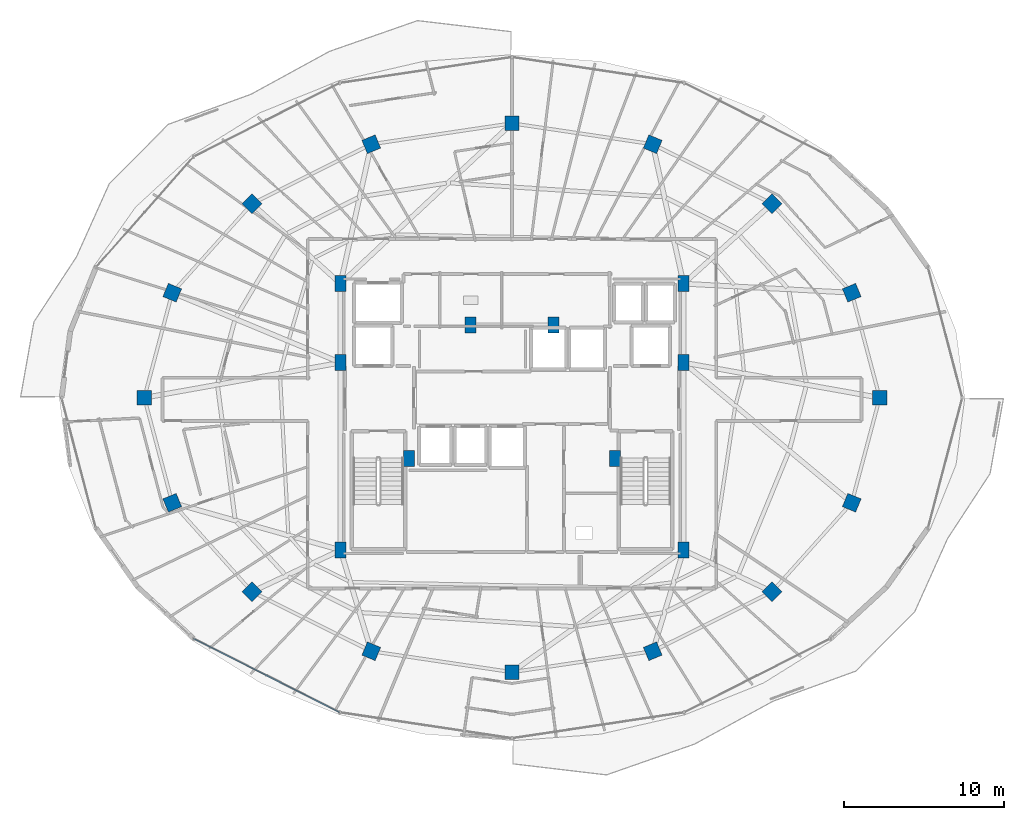
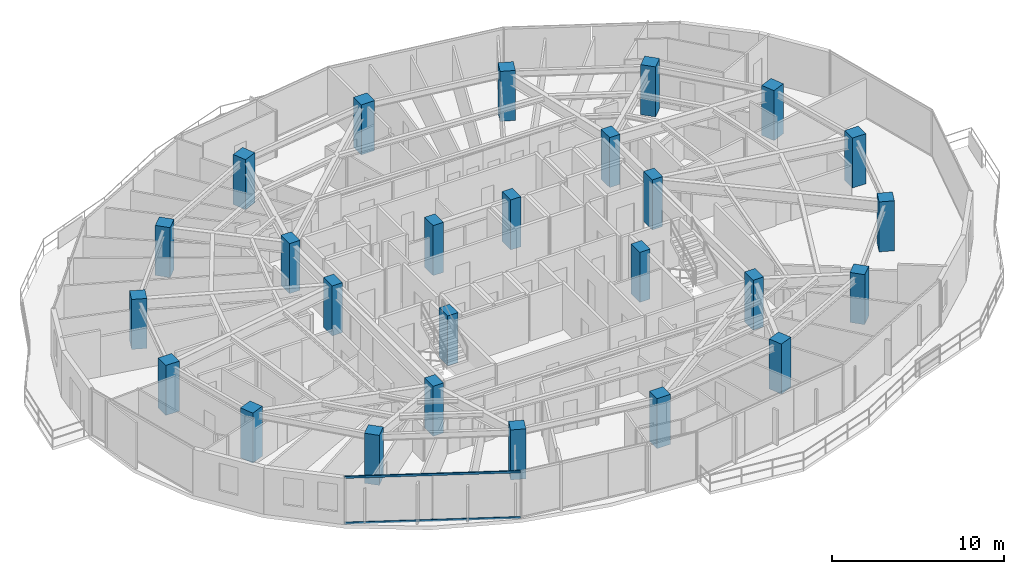
# One storey, part 1 of 34: 26 columns, 2 members, 1 element without a shape of its own.
"""IFC4 building model written with IfcOpenShell, lengths in metres."""

from ifc_helpers import new_model, si_unit, direction, frame, origin, origin_2d, place, context, subcontext, project, spatial, rectangle, hollow_rectangle, extrude, material, material_profile, profile_set, type_object, element, aggregate, save


model = new_model("IFC4")

# Units and contexts
model_context = context("Model", 3, precision=1e-05, world=origin(), true_north=direction((0.0, 1.0)))
body_context = subcontext(model_context, "Body", "Model", "MODEL_VIEW")
ifc_project = project(units=[si_unit("LENGTHUNIT", "METRE"), si_unit("AREAUNIT", "SQUARE_METRE"), si_unit("VOLUMEUNIT", "CUBIC_METRE"), si_unit("PLANEANGLEUNIT", "RADIAN"), si_unit("MASSUNIT", "GRAM", prefix="KILO")], contexts=[model_context])

# Site, building, storey
site_placement = place(None, origin())
site = spatial("IfcSite", under=ifc_project, at=site_placement, CompositionType="ELEMENT")
building_placement = place(site_placement, origin())
building = spatial("IfcBuilding", under=site, at=building_placement, Name="Vorneva Point Tower", CompositionType="ELEMENT")
storey_placement = place(building_placement, frame((0.0, 0.0, 210.75)))
storey = spatial("IfcBuildingStorey", under=building, at=storey_placement, Name="L57", CompositionType="ELEMENT", Elevation=210.75)

# Columns
ifc_material_1 = material(Name="Concrete B50 (C40/50)", Category="concrete")
ifc_material_profile_1 = material_profile(ifc_material_1, rectangle(XDim=0.89990234375, YDim=0.89990234375, at=origin_2d()), Name="RC-COL 900x900")
ifc_profile_set_1 = profile_set([ifc_material_profile_1], Name="Concrete B50 (C40/50)")
column_type_1 = type_object("IfcColumnType", Name="COL-RC900", PredefinedType="COLUMN", material=ifc_profile_set_1)
for number, where, z_axis, x_axis, name in (
    (1, (61.050048828125, 26.0, 0.0), (0.0, 0.0, 1.0), (1.0, 0.0, 0.0), "L57 Perimeter Column P01"),
    (2, (59.29541015625, 32.582275390625, 0.0), (0.0, 0.0, 1.0), (0.923879532511, 0.382683432365, 0.0), "L57 Perimeter Column P02"),
    (3, (54.298828125, 38.162109375, 0.0), (0.0, 0.0, 1.0), (0.707106781187, 0.707106781187, 0.0), "L57 Perimeter Column P03"),
    (4, (46.82080078125, 41.890625, 0.0), (0.0, 0.0, 1.0), (0.382683432365, 0.923879532511, 0.0), "L57 Perimeter Column P04"),
    (5, (38.0, 43.199951171875, 0.0), (0.0, 0.0, 1.0), (0.0, 1.0, 0.0), "L57 Perimeter Column P05"),
    (6, (29.17919921875, 41.890625, 0.0), (0.0, 0.0, 1.0), (-0.382683432365, 0.923879532511, 0.0), "L57 Perimeter Column P06"),
    (7, (21.701171875, 38.162109375, 0.0), (0.0, 0.0, 1.0), (-0.707106781187, 0.707106781187, 0.0), "L57 Perimeter Column P07"),
    (8, (16.70458984375, 32.582275390625, 0.0), (0.0, 0.0, 1.0), (-0.923879532511, 0.382683432365, 0.0), "L57 Perimeter Column P08"),
    (9, (14.949951171875, 26.0, 0.0), (0.0, 0.0, 1.0), (-1.0, 0.0, 0.0), "L57 Perimeter Column P09"),
    (10, (16.70458984375, 19.417724609375, 0.0), (0.0, 0.0, 1.0), (-0.923879532511, -0.382683432365, 0.0), "L57 Perimeter Column P10"),
    (11, (21.701171875, 13.837890625, 0.0), (0.0, 0.0, 1.0), (-0.707106781187, -0.707106781187, 0.0), "L57 Perimeter Column P11"),
    (12, (29.17919921875, 10.109375, 0.0), (0.0, 0.0, 1.0), (-0.382683432365, -0.923879532511, 0.0), "L57 Perimeter Column P12"),
    (13, (38.0, 8.800048828125, 0.0), (0.0, 0.0, 1.0), (0.0, -1.0, 0.0), "L57 Perimeter Column P13"),
    (14, (46.82080078125, 10.109375, 0.0), (0.0, 0.0, 1.0), (0.382683432365, -0.923879532511, 0.0), "L57 Perimeter Column P14"),
    (15, (54.298828125, 13.837890625, 0.0), (0.0, 0.0, 1.0), (0.707106781187, -0.707106781187, 0.0), "L57 Perimeter Column P15"),
    (16, (59.29541015625, 19.417724609375, 0.0), (0.0, 0.0, 1.0), (0.923879532511, -0.382683432365, 0.0), "L57 Perimeter Column P16"),
):
    element("IfcColumn", number, at=place(storey_placement, frame(where, z_axis=z_axis, x_axis=x_axis)), inside=storey, type_object=column_type_1, Name=name, PredefinedType="COLUMN", context=body_context, shape_type="SweptSolid", body=[
        extrude(rectangle(XDim=0.89990234375, YDim=0.89990234375, at=origin_2d()), origin(), (0.0, 0.0, 1.0), 3.550048828125),
    ])
ifc_material_profile_2 = material_profile(ifc_material_1, rectangle(XDim=0.699951171875, YDim=1.0, at=origin_2d()), Name="RC-PIL 1000x700")
ifc_profile_set_2 = profile_set([ifc_material_profile_2], Name="Concrete B50 (C40/50)")
column_type_2 = type_object("IfcColumnType", Name="PIL-RC1000x700", PredefinedType="PILASTER", material=ifc_profile_set_2)
for number, where, z_axis, x_axis, name in (
    (17, (27.25, 16.449951171875, 0.0), (0.0, 0.0, 1.0), (1.0, 0.0, 0.0), "L57 Core Pilaster CP1"),
    (18, (27.25, 28.199951171875, 0.0), (0.0, 0.0, 1.0), (1.0, 0.0, 0.0), "L57 Core Pilaster CP2"),
    (19, (27.25, 33.14990234375, 0.0), (0.0, 0.0, 1.0), (1.0, 0.0, 0.0), "L57 Core Pilaster CP3"),
    (20, (31.550048828125, 22.199951171875, 0.0), (0.0, 0.0, 1.0), (1.0, 0.0, 0.0), "L57 Core Pilaster CP4"),
    (21, (48.75, 33.14990234375, 0.0), (0.0, 0.0, 1.0), (1.0, 0.0, 0.0), "L57 Core Pilaster CP5"),
    (22, (48.75, 28.199951171875, 0.0), (0.0, 0.0, 1.0), (1.0, 0.0, 0.0), "L57 Core Pilaster CP6"),
    (23, (48.75, 16.449951171875, 0.0), (0.0, 0.0, 1.0), (1.0, 0.0, 0.0), "L57 Core Pilaster CP7"),
    (24, (44.449951171875, 22.199951171875, 0.0), (0.0, 0.0, 1.0), (1.0, 0.0, 0.0), "L57 Core Pilaster CP8"),
    (25, (35.39990234375, 30.550048828125, 0.0), (0.0, 0.0, 1.0), (1.0, 0.0, 0.0), "L57 Core Pilaster CP9"),
    (26, (40.60009765625, 30.550048828125, 0.0), (0.0, 0.0, 1.0), (1.0, 0.0, 0.0), "L57 Core Pilaster CP10"),
):
    element("IfcColumn", number, at=place(storey_placement, frame(where, z_axis=z_axis, x_axis=x_axis)), inside=storey, type_object=column_type_2, Name=name, PredefinedType="PILASTER", context=body_context, shape_type="SweptSolid", body=[
        extrude(rectangle(XDim=0.699951171875, YDim=1.0, at=origin_2d()), origin(), (0.0, 0.0, 1.0), 3.550048828125),
    ])

# Curtain wall, members
ifc_material_2 = material(Name="Pale anodised aluminium", Category="aluminium")
curtain_wall_type = type_object("IfcCurtainWallType", Name="CW-RES-SYS", PredefinedType="NOTDEFINED", material=ifc_material_2)
curtain_wall_placement = place(storey_placement, origin())
curtain_wall = element("IfcCurtainWall", 27, at=curtain_wall_placement, inside=storey, type_object=curtain_wall_type, Name="L57 Unitised Curtain Wall CW-L57-R04", PredefinedType="NOTDEFINED")
ifc_material_profile_3 = material_profile(ifc_material_2, hollow_rectangle(XDim=0.074951171875, YDim=0.14990234375, WallThickness=0.00390625, at=origin_2d()), Name="AL-TRN 150x75x4")
ifc_profile_set_3 = profile_set([ifc_material_profile_3], Name="Pale anodised aluminium")
member_type = type_object("IfcMemberType", Name="CW-TRN-150", PredefinedType="USERDEFINED", material=ifc_profile_set_3)
member_1_placement = place(storey_placement, frame((18.038330078125, 10.9033203125, 0.02001953125), z_axis=(0.892510927709, -0.451025768576, 0.0), x_axis=(0.451025768576, 0.892510927709, 0.0)))
member_1 = element("IfcMember", 28, at=member_1_placement, type_object=member_type, Name="CW-L57-R04 Transom 01.1", ObjectType="TRANSOM", PredefinedType="USERDEFINED", context=body_context, shape_type="SweptSolid", body=[
    extrude(hollow_rectangle(XDim=0.074951171875, YDim=0.14990234375, WallThickness=0.00390625, at=origin_2d()), origin(), (0.0, 0.0, 1.0), 10.261474609375),
])
member_2_placement = place(storey_placement, frame((18.038330078125, 10.9033203125, 3.27001953125), z_axis=(0.892510927709, -0.451025768576, 0.0), x_axis=(0.451025768576, 0.892510927709, 0.0)))
member_2 = element("IfcMember", 29, at=member_2_placement, type_object=member_type, Name="CW-L57-R04 Transom 01.2", ObjectType="TRANSOM", PredefinedType="USERDEFINED", context=body_context, shape_type="SweptSolid", body=[
    extrude(hollow_rectangle(XDim=0.074951171875, YDim=0.14990234375, WallThickness=0.00390625, at=origin_2d()), origin(), (0.0, 0.0, 1.0), 10.261474609375),
])
aggregate(curtain_wall, [member_1, member_2])

save(model, "model.ifc")
